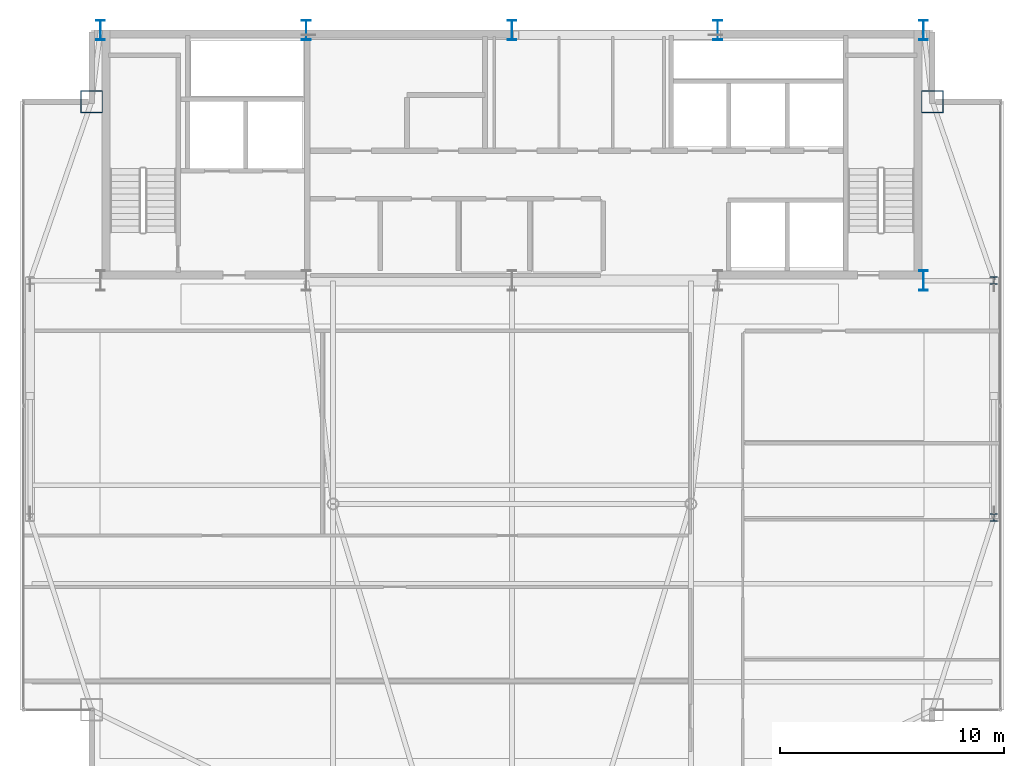
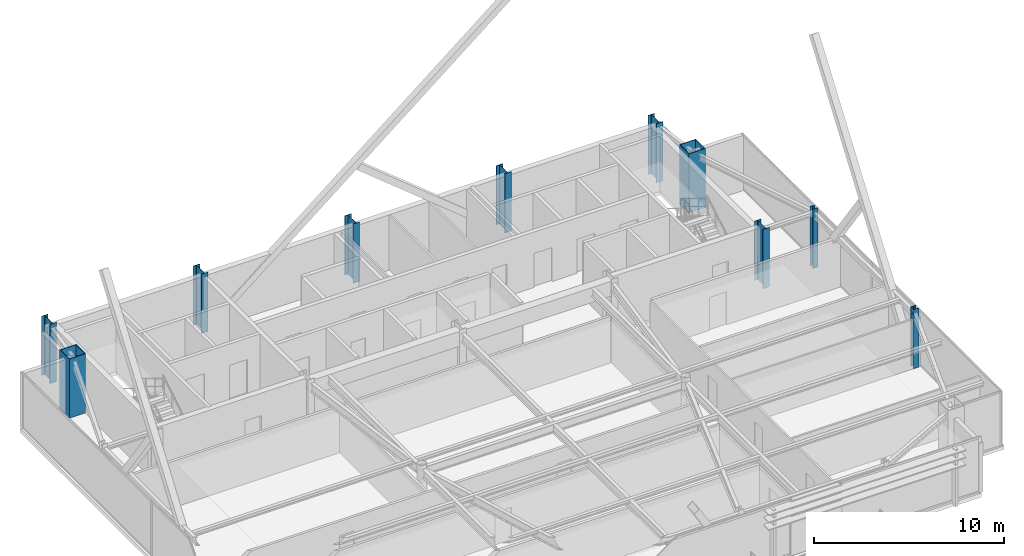
# One storey, part 2 of 25: 10 columns.
"""IFC4 building model written with IfcOpenShell, lengths in metres."""

from ifc_helpers import new_model, si_unit, direction, frame, origin, origin_2d, place, context, subcontext, project, spatial, hollow_rectangle, i_section, extrude, source, transform, mapped, material, material_profile, profile_set, type_object, type_shapes, element, save


model = new_model("IFC4")

# Units and contexts
model_context = context("Model", 3, precision=1e-05, world=origin(), true_north=direction((0.0, 1.0)))
body_context = subcontext(model_context, "Body", "Model", "MODEL_VIEW")
ifc_project = project(units=[si_unit("LENGTHUNIT", "METRE"), si_unit("AREAUNIT", "SQUARE_METRE"), si_unit("VOLUMEUNIT", "CUBIC_METRE"), si_unit("PLANEANGLEUNIT", "RADIAN"), si_unit("MASSUNIT", "GRAM", prefix="KILO")], contexts=[model_context])

# Site, building, storey
site_placement = place(None, origin())
site = spatial("IfcSite", under=ifc_project, at=site_placement, CompositionType="ELEMENT")
building_placement = place(site_placement, origin())
building = spatial("IfcBuilding", under=site, at=building_placement, Name="Varnel Quay Broadcast Tower", CompositionType="ELEMENT")
storey_placement = place(building_placement, frame((0.0, 0.0, 273.60009765625)))
storey = spatial("IfcBuildingStorey", under=building, at=storey_placement, Name="L68", CompositionType="ELEMENT", Elevation=273.60009765625)

# Columns
ifc_material_1 = material(Name="Structural Steel CSA G40.21 350WT", Category="steel")
ifc_material_profile_1 = material_profile(ifc_material_1, i_section(OverallWidth=0.39990234375, OverallDepth=0.89990234375, WebThickness=0.01611328125, FlangeThickness=0.028076171875, FilletRadius=0.01611328125, at=origin_2d()), Name="WWF900X309")
ifc_profile_set_1 = profile_set([ifc_material_profile_1], Name="Structural Steel CSA G40.21 350WT")
column_type_1 = type_object("IfcColumnType", Name="Col_WWF900X309", PredefinedType="COLUMN", material=ifc_profile_set_1)
shared_shape_1 = source(origin(), body_context, "Body", "SweptSolid", [
    extrude(i_section(OverallWidth=0.39990234375, OverallDepth=0.89990234375, WebThickness=0.01611328125, FlangeThickness=0.028076171875, FilletRadius=0.01611328125, at=origin_2d()), origin(), (0.0, 0.0, 1.0), 3.7998046875),
])
type_shapes(column_type_1, [shared_shape_1])
for number, where, z_axis, x_axis, name in (
    (1, (15.60009765625, 46.800048828125, 0.0), (0.0, 0.0, 1.0), (1.0, 0.0, 0.0), "L68 Column CC-N1"),
    (2, (24.800048828125, 46.800048828125, 0.0), (0.0, 0.0, 1.0), (1.0, 0.0, 0.0), "L68 Column CC-N2"),
    (3, (34.0, 46.800048828125, 0.0), (0.0, 0.0, 1.0), (1.0, 0.0, 0.0), "L68 Column CC-N3"),
    (4, (43.199951171875, 46.800048828125, 0.0), (0.0, 0.0, 1.0), (1.0, 0.0, 0.0), "L68 Column CC-N4"),
    (5, (52.39990234375, 35.60009765625, 0.0), (0.0, 0.0, 1.0), (1.0, 0.0, 0.0), "L68 Column CC-S5"),
    (6, (52.39990234375, 46.800048828125, 0.0), (0.0, 0.0, 1.0), (1.0, 0.0, 0.0), "L68 Column CC-N5"),
):
    element("IfcColumn", number, at=place(storey_placement, frame(where, z_axis=z_axis, x_axis=x_axis)), inside=storey, type_object=column_type_1, Name=name, PredefinedType="COLUMN", context=body_context, shape_type="MappedRepresentation", body=[
        mapped(shared_shape_1, transform((0.0, 0.0, 0.0), x_axis=(1.0, 0.0, 0.0), y_axis=(0.0, 1.0, 0.0), z_axis=(0.0, 0.0, 1.0), scale=1.0)),
    ])
ifc_material_profile_2 = material_profile(ifc_material_1, hollow_rectangle(XDim=1.0, YDim=1.0, WallThickness=0.0400390625, at=origin_2d()), Name="BOX1000X1000X40")
ifc_profile_set_2 = profile_set([ifc_material_profile_2], Name="Structural Steel CSA G40.21 350WT")
column_type_2 = type_object("IfcColumnType", Name="Col_BOX1000X1000X40", PredefinedType="COLUMN", material=ifc_profile_set_2)
shared_shape_2 = source(origin(), body_context, "Body", "SweptSolid", [
    extrude(hollow_rectangle(XDim=1.0, YDim=1.0, WallThickness=0.0400390625, at=origin_2d()), origin(), (0.0, 0.0, 1.0), 3.7998046875),
])
type_shapes(column_type_2, [shared_shape_2])
for number, where, z_axis, x_axis, name in (
    (7, (52.800048828125, 43.60009765625, 0.0), (0.0, 0.0, 1.0), (1.0, 0.0, 0.0), "L68 Column MC-NE"),
    (8, (15.199951171875, 43.60009765625, 0.0), (0.0, 0.0, 1.0), (1.0, 0.0, 0.0), "L68 Column MC-NW"),
):
    element("IfcColumn", number, at=place(storey_placement, frame(where, z_axis=z_axis, x_axis=x_axis)), inside=storey, type_object=column_type_2, Name=name, PredefinedType="COLUMN", context=body_context, shape_type="MappedRepresentation", body=[
        mapped(shared_shape_2, transform((0.0, 0.0, 0.0), x_axis=(1.0, 0.0, 0.0), y_axis=(0.0, 1.0, 0.0), z_axis=(0.0, 0.0, 1.0), scale=1.0)),
    ])
ifc_material_2 = material(Name="Structural Steel CSA G40.21 350W", Category="steel")
ifc_material_profile_3 = material_profile(ifc_material_2, i_section(OverallWidth=0.30908203125, OverallDepth=0.322998046875, WebThickness=0.013916015625, FlangeThickness=0.02294921875, FilletRadius=0.014892578125, at=origin_2d()), Name="W310X143")
ifc_profile_set_3 = profile_set([ifc_material_profile_3], Name="Structural Steel CSA G40.21 350W")
column_type_3 = type_object("IfcColumnType", Name="Col_W310X143", PredefinedType="COLUMN", material=ifc_profile_set_3)
shared_shape_3 = source(origin(), body_context, "Body", "SweptSolid", [
    extrude(i_section(OverallWidth=0.30908203125, OverallDepth=0.322998046875, WebThickness=0.013916015625, FlangeThickness=0.02294921875, FilletRadius=0.014892578125, at=origin_2d()), origin(), (0.0, 0.0, 1.0), 3.7998046875),
])
type_shapes(column_type_3, [shared_shape_3])
for number, where, z_axis, x_axis, name in (
    (9, (55.550048828125, 25.0, 0.0), (0.0, 0.0, 1.0), (1.0, 0.0, 0.0), "L68 Column TC-E1"),
    (10, (55.550048828125, 35.60009765625, 0.0), (0.0, 0.0, 1.0), (1.0, 0.0, 0.0), "L68 Column TC-E2"),
):
    element("IfcColumn", number, at=place(storey_placement, frame(where, z_axis=z_axis, x_axis=x_axis)), inside=storey, type_object=column_type_3, Name=name, PredefinedType="COLUMN", context=body_context, shape_type="MappedRepresentation", body=[
        mapped(shared_shape_3, transform((0.0, 0.0, 0.0), x_axis=(1.0, 0.0, 0.0), y_axis=(0.0, 1.0, 0.0), z_axis=(0.0, 0.0, 1.0), scale=1.0)),
    ])

save(model, "model.ifc")
